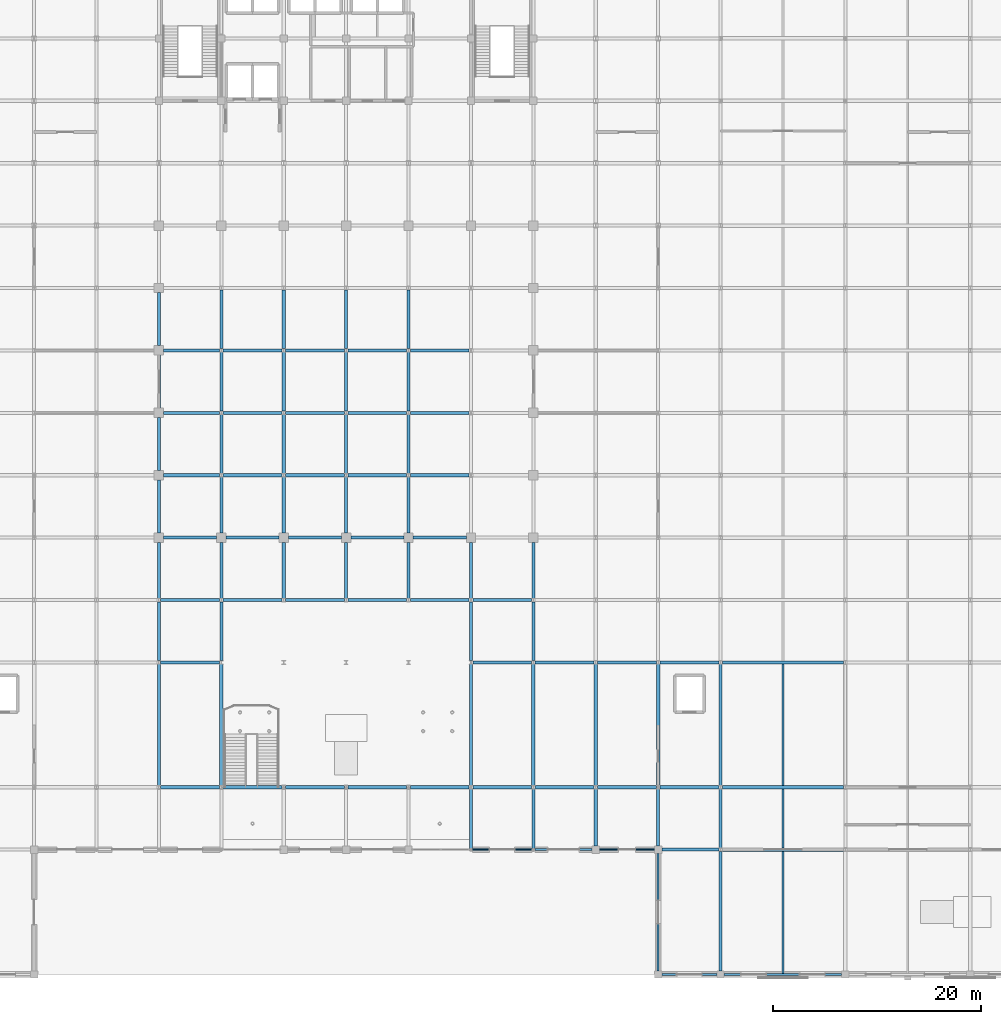
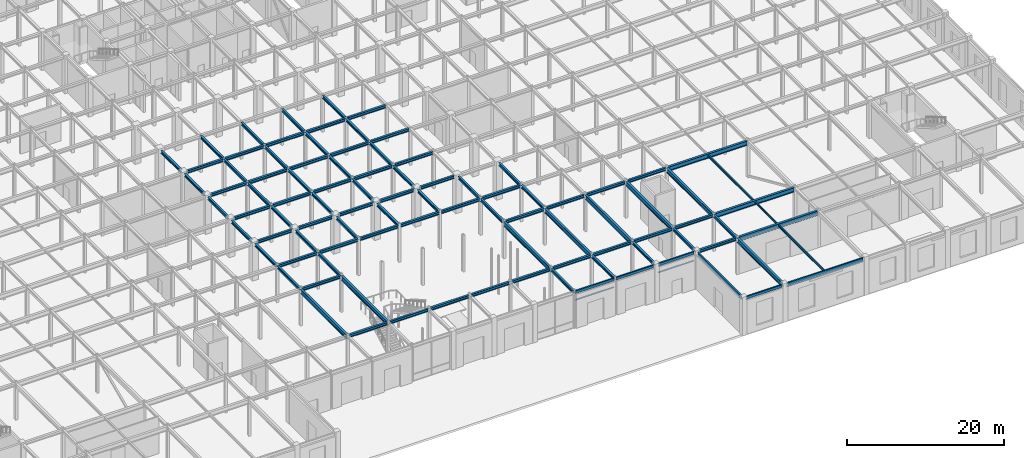
# One storey, part 32 of 51: 99 beams.
"""IFC4 building model written with IfcOpenShell, lengths in metres."""

import ifcopenshell
import ifcopenshell.guid

model = None  # the IFC model being written
_history = None  # IfcOwnerHistory: only IFC2X3 demands one
_inside = {}  # id of a spatial element -> (the spatial element, [elements in it])
_under = {}  # id of a project, library or spatial element -> (it, [spatial elements below it])
_declared = {}  # id of a project -> (the project, [libraries it declares])
_typed = {}  # id of a type object -> (the type object, [elements of that type])
_made_of = {}  # id of a material, layer set ... -> (it, [elements and type objects made of it])


def new_model(schema):
    """Start an empty IFC model of exactly this schema.

    Asked for "IFC4X3", IfcOpenShell would pick the latest addendum, in which some entities
    have other attributes; the version numbers below select the first issue.
    IFC2X3 requires an IfcOwnerHistory on every rooted entity: one is made here for all.
    """
    global model, _history
    if schema == "IFC4X3":
        model = ifcopenshell.file(schema_version=(4, 3, 0, 0))
    else:
        model = ifcopenshell.file(schema=schema)
    _inside.clear()
    _under.clear()
    _declared.clear()
    _typed.clear()
    _made_of.clear()
    _history = None
    if model.schema == "IFC2X3":
        org = make("IfcOrganization", Name="unknown")
        user = make(
            "IfcPersonAndOrganization",
            ThePerson=make("IfcPerson", FamilyName="unknown"),
            TheOrganization=org,
        )
        app = make(
            "IfcApplication",
            ApplicationDeveloper=org,
            Version="unknown",
            ApplicationFullName="unknown",
            ApplicationIdentifier="unknown",
        )
        _history = make(
            "IfcOwnerHistory",
            OwningUser=user,
            OwningApplication=app,
            ChangeAction="ADDED",
            CreationDate=0,
        )
    return model


def make(cls, **values):
    """One entity of the class cls with the attributes given. An attribute that is None is left unset."""
    return model.create_entity(
        cls, **{name: value for name, value in values.items() if value is not None}
    )


def rooted(cls, **values):
    """An entity with a GlobalId (a new one), such as an element, a storey or a relation."""
    return make(cls, GlobalId=ifcopenshell.guid.new(), OwnerHistory=_history, **values)


def si_unit(unit_type, name, prefix=None):
    """IfcSIUnit, for example si_unit("LENGTHUNIT", "METRE", prefix="MILLI")."""
    return make("IfcSIUnit", UnitType=unit_type, Prefix=prefix, Name=name)


def assignment(units):
    """IfcUnitAssignment: the units of a project."""
    return None if units is None else make("IfcUnitAssignment", Units=units)


def point(xyz):
    """IfcCartesianPoint."""
    return None if xyz is None else make("IfcCartesianPoint", Coordinates=xyz)


def direction(xyz):
    """IfcDirection."""
    return None if xyz is None else make("IfcDirection", DirectionRatios=xyz)


def frame(location, z_axis=None, x_axis=None):
    """IfcAxis2Placement3D, a coordinate frame: its origin and axes. An axis left out is left unset."""
    return make(
        "IfcAxis2Placement3D",
        Location=point(location),
        Axis=direction(z_axis),
        RefDirection=direction(x_axis),
    )


def frame_2d(location, x_axis=None):
    """IfcAxis2Placement2D, a coordinate frame in the plane: its origin and x axis."""
    return make(
        "IfcAxis2Placement2D", Location=point(location), RefDirection=direction(x_axis)
    )


def origin():
    """The frame at (0, 0, 0) with its axes left unset."""
    return frame((0.0, 0.0, 0.0))


def origin_2d():
    """The frame at (0, 0) in the plane with its x axis left unset."""
    return frame_2d((0.0, 0.0))


def place(relative_to, where):
    """IfcLocalPlacement: puts the frame where relative to a parent placement (None: the world)."""
    return make(
        "IfcLocalPlacement", PlacementRelTo=relative_to, RelativePlacement=where
    )


def context(
    kind, dimensions, precision=None, world=None, true_north=None, identifier=None
):
    """IfcGeometricRepresentationContext, for example the 3D "Model" context."""
    return make(
        "IfcGeometricRepresentationContext",
        ContextIdentifier=identifier,
        ContextType=kind,
        CoordinateSpaceDimension=dimensions,
        Precision=precision,
        WorldCoordinateSystem=world,
        TrueNorth=true_north,
    )


def subcontext(parent, identifier, kind, view, scale=None):
    """IfcGeometricRepresentationSubContext, for example "Body" below "Model"."""
    return make(
        "IfcGeometricRepresentationSubContext",
        ContextIdentifier=identifier,
        ContextType=kind,
        ParentContext=parent,
        TargetScale=scale,
        TargetView=view,
    )


def project(units=None, contexts=None):
    """IfcProject with its units and contexts."""
    return rooted(
        "IfcProject",
        Name="project",
        RepresentationContexts=contexts,
        UnitsInContext=assignment(units),
    )


def spatial(cls, under=None, at=None, **own):
    """A site, building, storey or space (cls), placed at a placement, below another one or the project."""
    s = rooted(cls, ObjectPlacement=at, **own)
    if under is not None:
        _under.setdefault(under.id(), (under, []))[1].append(s)
    return s


def profile(cls, at=None, kind="AREA", **sizes):
    """A parametric profile (cls). Its sizes go by their IFC names, for example OverallWidth=200.0."""
    return make(cls, ProfileType=kind, Position=at, **sizes)


def i_section(**sizes):
    """IfcIShapeProfileDef."""
    return profile("IfcIShapeProfileDef", **sizes)


def extrude(swept, where, along, depth):
    """IfcExtrudedAreaSolid: the profile swept, set in the frame where, extruded along a direction by depth."""
    return make(
        "IfcExtrudedAreaSolid",
        SweptArea=swept,
        Position=where,
        ExtrudedDirection=direction(along),
        Depth=depth,
    )


def shape(context_of_items, identifier, shape_type, items):
    """IfcShapeRepresentation: the items that make up one representation, for example the "Body"."""
    return make(
        "IfcShapeRepresentation",
        ContextOfItems=context_of_items,
        RepresentationIdentifier=identifier,
        RepresentationType=shape_type,
        Items=items,
    )


def material(Name=None, Category=None):
    """IfcMaterial."""
    return make("IfcMaterial", Name=Name, Category=Category)


def material_profile(
    of_material, cross_section, Name=None, Category=None, Priority=None
):
    """IfcMaterialProfile: a cross section and its material."""
    return make(
        "IfcMaterialProfile",
        Name=Name,
        Material=of_material,
        Profile=cross_section,
        Priority=Priority,
        Category=Category,
    )


def profile_set(profiles, Name=None, composite=None):
    """IfcMaterialProfileSet."""
    return make(
        "IfcMaterialProfileSet",
        Name=Name,
        MaterialProfiles=profiles,
        CompositeProfile=composite,
    )


def made_of(thing, what):
    """Note that an element or type object is made of a material, layer set ...; save() writes the relation."""
    if what is not None:
        _made_of.setdefault(what.id(), (what, []))[1].append(thing)
    return thing


def type_object(cls, material=None, **own):
    """A type object (cls), such as IfcWallType, which elements share."""
    return made_of(rooted(cls, **own), material)


def element(
    cls,
    number,
    at=None,
    inside=None,
    cuts=None,
    type_object=None,
    material=None,
    context=None,
    identifier="Body",
    shape_type=None,
    held_by="IfcProductDefinitionShape",
    body=None,
    shapes=None,
    **own,
):
    """One element of the class cls, such as IfcWall. Its Tag is "e" and its number.

    at: its placement. inside: the storey or other place that contains it. cuts: it is an
    opening in that element (IfcRelVoidsElement). A single representation is given by context,
    identifier, shape_type and body (its items); several are given by shapes. held_by: the class
    of the entity that holds the representations. save() writes the other relations.
    """
    e = rooted(cls, Tag="e%d" % number, ObjectPlacement=at, **own)
    if body is not None:
        shapes = [shape(context, identifier, shape_type, body)]
    if shapes is not None:
        e.Representation = make(held_by, Representations=shapes)
    if inside is not None:
        _inside.setdefault(inside.id(), (inside, []))[1].append(e)
    if cuts is not None:
        rooted(
            "IfcRelVoidsElement", RelatingBuildingElement=cuts, RelatedOpeningElement=e
        )
    if type_object is not None:
        _typed.setdefault(type_object.id(), (type_object, []))[1].append(e)
    return made_of(e, material)


def aggregate(whole, parts):
    """IfcRelAggregates: a whole, such as a stair, and the parts it consists of."""
    return rooted("IfcRelAggregates", RelatingObject=whole, RelatedObjects=parts)


def save(model, path):
    """Write the relations noted so far, then the file.

    IfcRelAggregates (storeys below a building ...), IfcRelContainedInSpatialStructure (elements
    in a storey), IfcRelDefinesByType, IfcRelAssociatesMaterial and IfcRelDeclares: one each for
    every whole, place, type object, material and project.
    """
    for whole, parts in _under.values():
        aggregate(whole, parts)
    for where, things in _inside.values():
        rooted(
            "IfcRelContainedInSpatialStructure",
            RelatedElements=things,
            RelatingStructure=where,
        )
    for kind, things in _typed.values():
        rooted("IfcRelDefinesByType", RelatedObjects=things, RelatingType=kind)
    for what, things in _made_of.values():
        rooted("IfcRelAssociatesMaterial", RelatedObjects=things, RelatingMaterial=what)
    for by, libraries in _declared.values():
        rooted("IfcRelDeclares", RelatingContext=by, RelatedDefinitions=libraries)
    model.write(path)


model = new_model("IFC4")

# Units and contexts
model_context = context("Model", 3, precision=1e-05, world=origin(), true_north=direction((0.0, 1.0)))
body_context = subcontext(model_context, "Body", "Model", "MODEL_VIEW")
ifc_project = project(units=[si_unit("LENGTHUNIT", "METRE"), si_unit("AREAUNIT", "SQUARE_METRE"), si_unit("VOLUMEUNIT", "CUBIC_METRE"), si_unit("PLANEANGLEUNIT", "RADIAN"), si_unit("MASSUNIT", "GRAM", prefix="KILO")], contexts=[model_context])

# Site, building, storey
site_placement = place(None, origin())
site = spatial("IfcSite", under=ifc_project, at=site_placement, CompositionType="ELEMENT")
building_placement = place(site_placement, origin())
building = spatial("IfcBuilding", under=site, at=building_placement, Name="Zlatovratsky Civic Hall", CompositionType="ELEMENT")
storey_placement = place(building_placement, origin())
storey = spatial("IfcBuildingStorey", under=building, at=storey_placement, Name="L01", CompositionType="ELEMENT", Elevation=0.0)

# Beams
ifc_material = material(Name="Steel S355", Category="steel")
ifc_material_profile_1 = material_profile(ifc_material, i_section(OverallWidth=0.320068359375, OverallDepth=0.68310546875, WebThickness=0.012939453125, FlangeThickness=0.01904296875, FilletRadius=0.02587890625, at=origin_2d()), Name="70Sh1")
ifc_profile_set_1 = profile_set([ifc_material_profile_1], Name="Steel S355")
beam_type_1 = type_object("IfcBeamType", Name="Beam_HallGirder_70Sh1", PredefinedType="BEAM", material=ifc_profile_set_1)
for number, where, z_axis, x_axis, name in (
    (1, (120.175048828125, 12.0, 5.41845703125), (1.0, 0.0, 0.0), (0.0, 1.0, 0.0), "BM-0898"),
    (2, (120.175048828125, 18.0, 5.41845703125), (1.0, 0.0, 0.0), (0.0, 1.0, 0.0), "BM-0920"),
    (3, (120.175048828125, 30.0, 5.41845703125), (1.0, 0.0, 0.0), (0.0, 1.0, 0.0), "BM-0938"),
):
    element("IfcBeam", number, at=place(storey_placement, frame(where, z_axis=z_axis, x_axis=x_axis)), inside=storey, type_object=beam_type_1, Name=name, PredefinedType="BEAM", context=body_context, shape_type="SweptSolid", body=[
        extrude(i_section(OverallWidth=0.320068359375, OverallDepth=0.68310546875, WebThickness=0.012939453125, FlangeThickness=0.01904296875, FilletRadius=0.02587890625, at=origin_2d()), origin(), (0.0, 0.0, 1.0), 11.64990234375),
    ])
for number, where, z_axis, x_axis, name in (
    (4, (66.0, 18.17138671875, 5.41845703125), (0.0, 1.0, 0.0), (-1.0, 0.0, 0.0), "BM-1383"),
    (5, (72.0, 18.17138671875, 5.41845703125), (0.0, 1.0, 0.0), (-1.0, 0.0, 0.0), "BM-1399"),
    (6, (96.0, 18.17138671875, 5.41845703125), (0.0, 1.0, 0.0), (-1.0, 0.0, 0.0), "BM-1457"),
    (7, (102.0, 18.17138671875, 5.41845703125), (0.0, 1.0, 0.0), (-1.0, 0.0, 0.0), "BM-1473"),
    (8, (108.0, 18.17138671875, 5.41845703125), (0.0, 1.0, 0.0), (-1.0, 0.0, 0.0), "BM-1489"),
    (9, (114.0, 18.17138671875, 5.41845703125), (0.0, 1.0, 0.0), (-1.0, 0.0, 0.0), "BM-1506"),
):
    element("IfcBeam", number, at=place(storey_placement, frame(where, z_axis=z_axis, x_axis=x_axis)), inside=storey, type_object=beam_type_1, Name=name, PredefinedType="BEAM", context=body_context, shape_type="SweptSolid", body=[
        extrude(i_section(OverallWidth=0.320068359375, OverallDepth=0.68310546875, WebThickness=0.012939453125, FlangeThickness=0.01904296875, FilletRadius=0.02587890625, at=origin_2d()), origin(), (0.0, 0.0, 1.0), 11.6572265625),
    ])
beam_1_placement = place(storey_placement, frame((120.0, 0.35009765625, 5.41845703125), z_axis=(0.0, 1.0, 0.0), x_axis=(-1.0, 0.0, 0.0)))
element("IfcBeam", 10, at=beam_1_placement, inside=storey, type_object=beam_type_1, Name="BM-1521", PredefinedType="BEAM", context=body_context, shape_type="SweptSolid", body=[
    extrude(i_section(OverallWidth=0.320068359375, OverallDepth=0.68310546875, WebThickness=0.012939453125, FlangeThickness=0.01904296875, FilletRadius=0.02587890625, at=origin_2d()), origin(), (0.0, 0.0, 1.0), 11.478515625),
])
beam_2_placement = place(storey_placement, frame((120.0, 18.17138671875, 5.41845703125), z_axis=(0.0, 1.0, 0.0), x_axis=(-1.0, 0.0, 0.0)))
element("IfcBeam", 11, at=beam_2_placement, inside=storey, type_object=beam_type_1, Name="BM-1523", PredefinedType="BEAM", context=body_context, shape_type="SweptSolid", body=[
    extrude(i_section(OverallWidth=0.320068359375, OverallDepth=0.68310546875, WebThickness=0.012939453125, FlangeThickness=0.01904296875, FilletRadius=0.02587890625, at=origin_2d()), origin(), (0.0, 0.0, 1.0), 11.6572265625),
])
ifc_material_profile_2 = material_profile(ifc_material, i_section(OverallWidth=0.198974609375, OverallDepth=0.491943359375, WebThickness=0.0087890625, FlangeThickness=0.011962890625, FilletRadius=0.01611328125, at=origin_2d()), Name="50B1")
ifc_profile_set_2 = profile_set([ifc_material_profile_2], Name="Steel S355")
beam_type_2 = type_object("IfcBeamType", Name="Beam_Spandrel_50B1", PredefinedType="SPANDREL", material=ifc_profile_set_2)
beam_3_placement = place(storey_placement, frame((114.35009765625, 0.0, 5.513916015625), z_axis=(1.0, 0.0, 0.0), x_axis=(0.0, 1.0, 0.0)))
element("IfcBeam", 12, at=beam_3_placement, inside=storey, type_object=beam_type_2, Name="BM-0875", PredefinedType="SPANDREL", context=body_context, shape_type="SweptSolid", body=[
    extrude(i_section(OverallWidth=0.198974609375, OverallDepth=0.491943359375, WebThickness=0.0087890625, FlangeThickness=0.011962890625, FilletRadius=0.01611328125, at=origin_2d()), origin(), (0.0, 0.0, 1.0), 5.2998046875),
])
beam_4_placement = place(storey_placement, frame((96.136474609375, 12.0, 5.513916015625), z_axis=(1.0, 0.0, 0.0), x_axis=(0.0, 1.0, 0.0)))
element("IfcBeam", 13, at=beam_4_placement, inside=storey, type_object=beam_type_2, Name="BM-0894", PredefinedType="SPANDREL", context=body_context, shape_type="SweptSolid", body=[
    extrude(i_section(OverallWidth=0.198974609375, OverallDepth=0.491943359375, WebThickness=0.0087890625, FlangeThickness=0.011962890625, FilletRadius=0.01611328125, at=origin_2d()), origin(), (0.0, 0.0, 1.0), 5.72705078125),
])
beam_5_placement = place(storey_placement, frame((102.136474609375, 12.0, 5.513916015625), z_axis=(1.0, 0.0, 0.0), x_axis=(0.0, 1.0, 0.0)))
element("IfcBeam", 14, at=beam_5_placement, inside=storey, type_object=beam_type_2, Name="BM-0895", PredefinedType="SPANDREL", context=body_context, shape_type="SweptSolid", body=[
    extrude(i_section(OverallWidth=0.198974609375, OverallDepth=0.491943359375, WebThickness=0.0087890625, FlangeThickness=0.011962890625, FilletRadius=0.01611328125, at=origin_2d()), origin(), (0.0, 0.0, 1.0), 5.513427734375),
])
beam_6_placement = place(storey_placement, frame((108.35009765625, 12.0, 5.513916015625), z_axis=(1.0, 0.0, 0.0), x_axis=(0.0, 1.0, 0.0)))
element("IfcBeam", 15, at=beam_6_placement, inside=storey, type_object=beam_type_2, Name="BM-0896", PredefinedType="SPANDREL", context=body_context, shape_type="SweptSolid", body=[
    extrude(i_section(OverallWidth=0.198974609375, OverallDepth=0.491943359375, WebThickness=0.0087890625, FlangeThickness=0.011962890625, FilletRadius=0.01611328125, at=origin_2d()), origin(), (0.0, 0.0, 1.0), 5.2998046875),
])
ifc_material_profile_3 = material_profile(ifc_material, i_section(OverallWidth=0.198974609375, OverallDepth=0.593017578125, WebThickness=0.010498046875, FlangeThickness=0.014892578125, FilletRadius=0.01806640625, at=origin_2d()), Name="60B1")
ifc_profile_set_3 = profile_set([ifc_material_profile_3], Name="Steel S355")
beam_type_3 = type_object("IfcBeamType", Name="Beam_Spandrel_60B1", PredefinedType="SPANDREL", material=ifc_profile_set_3)
for number, where, z_axis, x_axis, name in (
    (16, (120.35009765625, 0.0, 5.46337890625), (1.0, 0.0, 0.0), (0.0, 1.0, 0.0), "BM-0876"),
    (17, (114.0, 0.35009765625, 5.46337890625), (0.0, 1.0, 0.0), (-1.0, 0.0, 0.0), "BM-1504"),
):
    element("IfcBeam", number, at=place(storey_placement, frame(where, z_axis=z_axis, x_axis=x_axis)), inside=storey, type_object=beam_type_3, Name=name, PredefinedType="SPANDREL", context=body_context, shape_type="SweptSolid", body=[
        extrude(i_section(OverallWidth=0.198974609375, OverallDepth=0.593017578125, WebThickness=0.010498046875, FlangeThickness=0.014892578125, FilletRadius=0.01806640625, at=origin_2d()), origin(), (0.0, 0.0, 1.0), 11.2998046875),
    ])
ifc_material_profile_4 = material_profile(ifc_material, i_section(OverallWidth=0.300048828125, OverallDepth=0.43994140625, WebThickness=0.010986328125, FlangeThickness=0.01806640625, FilletRadius=0.02197265625, at=origin_2d()), Name="45Sh1")
ifc_profile_set_4 = profile_set([ifc_material_profile_4], Name="Steel S355")
beam_type_4 = type_object("IfcBeamType", Name="Beam_TowerLow_45Sh1", PredefinedType="BEAM", material=ifc_profile_set_4)
beam_7_placement = place(storey_placement, frame((114.35009765625, 12.0, 5.5400390625), z_axis=(1.0, 0.0, 0.0), x_axis=(0.0, 1.0, 0.0)))
element("IfcBeam", 18, at=beam_7_placement, inside=storey, type_object=beam_type_4, Name="BM-0897", PredefinedType="BEAM", context=body_context, shape_type="SweptSolid", body=[
    extrude(i_section(OverallWidth=0.300048828125, OverallDepth=0.43994140625, WebThickness=0.010986328125, FlangeThickness=0.01806640625, FilletRadius=0.02197265625, at=origin_2d()), origin(), (0.0, 0.0, 1.0), 5.474853515625),
])
for number, where, z_axis, x_axis, name in (
    (19, (66.175048828125, 18.0, 5.5400390625), (1.0, 0.0, 0.0), (0.0, 1.0, 0.0), "BM-0911"),
    (20, (72.175048828125, 18.0, 5.5400390625), (1.0, 0.0, 0.0), (0.0, 1.0, 0.0), "BM-0912"),
    (21, (78.175048828125, 18.0, 5.5400390625), (1.0, 0.0, 0.0), (0.0, 1.0, 0.0), "BM-0913"),
    (22, (84.175048828125, 18.0, 5.5400390625), (1.0, 0.0, 0.0), (0.0, 1.0, 0.0), "BM-0914"),
    (23, (90.175048828125, 18.0, 5.5400390625), (1.0, 0.0, 0.0), (0.0, 1.0, 0.0), "BM-0915"),
    (24, (96.175048828125, 18.0, 5.5400390625), (1.0, 0.0, 0.0), (0.0, 1.0, 0.0), "BM-0916"),
    (25, (102.175048828125, 18.0, 5.5400390625), (1.0, 0.0, 0.0), (0.0, 1.0, 0.0), "BM-0917"),
    (26, (108.175048828125, 18.0, 5.5400390625), (1.0, 0.0, 0.0), (0.0, 1.0, 0.0), "BM-0918"),
    (27, (114.175048828125, 18.0, 5.5400390625), (1.0, 0.0, 0.0), (0.0, 1.0, 0.0), "BM-0919"),
    (28, (66.175048828125, 30.0, 5.5400390625), (1.0, 0.0, 0.0), (0.0, 1.0, 0.0), "BM-0933"),
    (29, (96.175048828125, 30.0, 5.5400390625), (1.0, 0.0, 0.0), (0.0, 1.0, 0.0), "BM-0934"),
    (30, (102.175048828125, 30.0, 5.5400390625), (1.0, 0.0, 0.0), (0.0, 1.0, 0.0), "BM-0935"),
    (31, (108.175048828125, 30.0, 5.5400390625), (1.0, 0.0, 0.0), (0.0, 1.0, 0.0), "BM-0936"),
    (32, (114.175048828125, 30.0, 5.5400390625), (1.0, 0.0, 0.0), (0.0, 1.0, 0.0), "BM-0937"),
    (33, (66.175048828125, 36.0, 5.5400390625), (1.0, 0.0, 0.0), (0.0, 1.0, 0.0), "BM-0951"),
    (34, (72.175048828125, 36.0, 5.5400390625), (1.0, 0.0, 0.0), (0.0, 1.0, 0.0), "BM-0952"),
    (35, (78.175048828125, 36.0, 5.5400390625), (1.0, 0.0, 0.0), (0.0, 1.0, 0.0), "BM-0953"),
    (36, (84.175048828125, 36.0, 5.5400390625), (1.0, 0.0, 0.0), (0.0, 1.0, 0.0), "BM-0954"),
    (37, (90.175048828125, 36.0, 5.5400390625), (1.0, 0.0, 0.0), (0.0, 1.0, 0.0), "BM-0955"),
    (38, (96.175048828125, 36.0, 5.5400390625), (1.0, 0.0, 0.0), (0.0, 1.0, 0.0), "BM-0956"),
):
    element("IfcBeam", number, at=place(storey_placement, frame(where, z_axis=z_axis, x_axis=x_axis)), inside=storey, type_object=beam_type_4, Name=name, PredefinedType="BEAM", context=body_context, shape_type="SweptSolid", body=[
        extrude(i_section(OverallWidth=0.300048828125, OverallDepth=0.43994140625, WebThickness=0.010986328125, FlangeThickness=0.01806640625, FilletRadius=0.02197265625, at=origin_2d()), origin(), (0.0, 0.0, 1.0), 5.64990234375),
    ])
for number, where, z_axis, x_axis, name in (
    (39, (66.449951171875, 42.0, 5.5400390625), (1.0, 0.0, 0.0), (0.0, 1.0, 0.0), "BM-0973"),
    (40, (72.449951171875, 42.0, 5.5400390625), (1.0, 0.0, 0.0), (0.0, 1.0, 0.0), "BM-0974"),
    (41, (78.449951171875, 42.0, 5.5400390625), (1.0, 0.0, 0.0), (0.0, 1.0, 0.0), "BM-0975"),
    (42, (84.449951171875, 42.0, 5.5400390625), (1.0, 0.0, 0.0), (0.0, 1.0, 0.0), "BM-0976"),
    (43, (90.449951171875, 42.0, 5.5400390625), (1.0, 0.0, 0.0), (0.0, 1.0, 0.0), "BM-0977"),
):
    element("IfcBeam", number, at=place(storey_placement, frame(where, z_axis=z_axis, x_axis=x_axis)), inside=storey, type_object=beam_type_4, Name=name, PredefinedType="BEAM", context=body_context, shape_type="SweptSolid", body=[
        extrude(i_section(OverallWidth=0.300048828125, OverallDepth=0.43994140625, WebThickness=0.010986328125, FlangeThickness=0.01806640625, FilletRadius=0.02197265625, at=origin_2d()), origin(), (0.0, 0.0, 1.0), 5.10009765625),
    ])
beam_8_placement = place(storey_placement, frame((66.449951171875, 48.0, 5.5400390625), z_axis=(1.0, 0.0, 0.0), x_axis=(0.0, 1.0, 0.0)))
element("IfcBeam", 44, at=beam_8_placement, inside=storey, type_object=beam_type_4, Name="BM-0995", PredefinedType="BEAM", context=body_context, shape_type="SweptSolid", body=[
    extrude(i_section(OverallWidth=0.300048828125, OverallDepth=0.43994140625, WebThickness=0.010986328125, FlangeThickness=0.01806640625, FilletRadius=0.02197265625, at=origin_2d()), origin(), (0.0, 0.0, 1.0), 5.375),
])
for number, where, z_axis, x_axis, name in (
    (45, (72.175048828125, 48.0, 5.5400390625), (1.0, 0.0, 0.0), (0.0, 1.0, 0.0), "BM-0996"),
    (46, (78.175048828125, 48.0, 5.5400390625), (1.0, 0.0, 0.0), (0.0, 1.0, 0.0), "BM-0997"),
    (47, (84.175048828125, 48.0, 5.5400390625), (1.0, 0.0, 0.0), (0.0, 1.0, 0.0), "BM-0998"),
    (48, (90.175048828125, 48.0, 5.5400390625), (1.0, 0.0, 0.0), (0.0, 1.0, 0.0), "BM-0999"),
):
    element("IfcBeam", number, at=place(storey_placement, frame(where, z_axis=z_axis, x_axis=x_axis)), inside=storey, type_object=beam_type_4, Name=name, PredefinedType="BEAM", context=body_context, shape_type="SweptSolid", body=[
        extrude(i_section(OverallWidth=0.300048828125, OverallDepth=0.43994140625, WebThickness=0.010986328125, FlangeThickness=0.01806640625, FilletRadius=0.02197265625, at=origin_2d()), origin(), (0.0, 0.0, 1.0), 5.64990234375),
    ])
beam_9_placement = place(storey_placement, frame((66.449951171875, 54.0, 5.5400390625), z_axis=(1.0, 0.0, 0.0), x_axis=(0.0, 1.0, 0.0)))
element("IfcBeam", 49, at=beam_9_placement, inside=storey, type_object=beam_type_4, Name="BM-1017", PredefinedType="BEAM", context=body_context, shape_type="SweptSolid", body=[
    extrude(i_section(OverallWidth=0.300048828125, OverallDepth=0.43994140625, WebThickness=0.010986328125, FlangeThickness=0.01806640625, FilletRadius=0.02197265625, at=origin_2d()), origin(), (0.0, 0.0, 1.0), 5.375),
])
for number, where, z_axis, x_axis, name in (
    (50, (72.175048828125, 54.0, 5.5400390625), (1.0, 0.0, 0.0), (0.0, 1.0, 0.0), "BM-1018"),
    (51, (78.175048828125, 54.0, 5.5400390625), (1.0, 0.0, 0.0), (0.0, 1.0, 0.0), "BM-1019"),
    (52, (84.175048828125, 54.0, 5.5400390625), (1.0, 0.0, 0.0), (0.0, 1.0, 0.0), "BM-1020"),
    (53, (90.175048828125, 54.0, 5.5400390625), (1.0, 0.0, 0.0), (0.0, 1.0, 0.0), "BM-1021"),
):
    element("IfcBeam", number, at=place(storey_placement, frame(where, z_axis=z_axis, x_axis=x_axis)), inside=storey, type_object=beam_type_4, Name=name, PredefinedType="BEAM", context=body_context, shape_type="SweptSolid", body=[
        extrude(i_section(OverallWidth=0.300048828125, OverallDepth=0.43994140625, WebThickness=0.010986328125, FlangeThickness=0.01806640625, FilletRadius=0.02197265625, at=origin_2d()), origin(), (0.0, 0.0, 1.0), 5.64990234375),
    ])
beam_10_placement = place(storey_placement, frame((66.449951171875, 60.0, 5.5400390625), z_axis=(1.0, 0.0, 0.0), x_axis=(0.0, 1.0, 0.0)))
element("IfcBeam", 54, at=beam_10_placement, inside=storey, type_object=beam_type_4, Name="BM-1039", PredefinedType="BEAM", context=body_context, shape_type="SweptSolid", body=[
    extrude(i_section(OverallWidth=0.300048828125, OverallDepth=0.43994140625, WebThickness=0.010986328125, FlangeThickness=0.01806640625, FilletRadius=0.02197265625, at=origin_2d()), origin(), (0.0, 0.0, 1.0), 5.375),
])
for number, where, z_axis, x_axis, name in (
    (55, (72.175048828125, 60.0, 5.5400390625), (1.0, 0.0, 0.0), (0.0, 1.0, 0.0), "BM-1040"),
    (56, (78.175048828125, 60.0, 5.5400390625), (1.0, 0.0, 0.0), (0.0, 1.0, 0.0), "BM-1041"),
    (57, (84.175048828125, 60.0, 5.5400390625), (1.0, 0.0, 0.0), (0.0, 1.0, 0.0), "BM-1042"),
    (58, (90.175048828125, 60.0, 5.5400390625), (1.0, 0.0, 0.0), (0.0, 1.0, 0.0), "BM-1043"),
):
    element("IfcBeam", number, at=place(storey_placement, frame(where, z_axis=z_axis, x_axis=x_axis)), inside=storey, type_object=beam_type_4, Name=name, PredefinedType="BEAM", context=body_context, shape_type="SweptSolid", body=[
        extrude(i_section(OverallWidth=0.300048828125, OverallDepth=0.43994140625, WebThickness=0.010986328125, FlangeThickness=0.01806640625, FilletRadius=0.02197265625, at=origin_2d()), origin(), (0.0, 0.0, 1.0), 5.64990234375),
    ])
beam_11_placement = place(storey_placement, frame((66.0, 30.17138671875, 5.5400390625), z_axis=(0.0, 1.0, 0.0), x_axis=(-1.0, 0.0, 0.0)))
element("IfcBeam", 59, at=beam_11_placement, inside=storey, type_object=beam_type_4, Name="BM-1384", PredefinedType="BEAM", context=body_context, shape_type="SweptSolid", body=[
    extrude(i_section(OverallWidth=0.300048828125, OverallDepth=0.43994140625, WebThickness=0.010986328125, FlangeThickness=0.01806640625, FilletRadius=0.02197265625, at=origin_2d()), origin(), (0.0, 0.0, 1.0), 5.6572265625),
])
beam_12_placement = place(storey_placement, frame((66.0, 36.17138671875, 5.5400390625), z_axis=(0.0, 1.0, 0.0), x_axis=(-1.0, 0.0, 0.0)))
element("IfcBeam", 60, at=beam_12_placement, inside=storey, type_object=beam_type_4, Name="BM-1385", PredefinedType="BEAM", context=body_context, shape_type="SweptSolid", body=[
    extrude(i_section(OverallWidth=0.300048828125, OverallDepth=0.43994140625, WebThickness=0.010986328125, FlangeThickness=0.01806640625, FilletRadius=0.02197265625, at=origin_2d()), origin(), (0.0, 0.0, 1.0), 5.378662109375),
])
for number, where, z_axis, x_axis, name in (
    (61, (66.0, 42.449951171875, 5.5400390625), (0.0, 1.0, 0.0), (-1.0, 0.0, 0.0), "BM-1386"),
    (62, (66.0, 48.449951171875, 5.5400390625), (0.0, 1.0, 0.0), (-1.0, 0.0, 0.0), "BM-1387"),
    (63, (66.0, 54.449951171875, 5.5400390625), (0.0, 1.0, 0.0), (-1.0, 0.0, 0.0), "BM-1388"),
    (64, (66.0, 60.449951171875, 5.5400390625), (0.0, 1.0, 0.0), (-1.0, 0.0, 0.0), "BM-1389"),
):
    element("IfcBeam", number, at=place(storey_placement, frame(where, z_axis=z_axis, x_axis=x_axis)), inside=storey, type_object=beam_type_4, Name=name, PredefinedType="BEAM", context=body_context, shape_type="SweptSolid", body=[
        extrude(i_section(OverallWidth=0.300048828125, OverallDepth=0.43994140625, WebThickness=0.010986328125, FlangeThickness=0.01806640625, FilletRadius=0.02197265625, at=origin_2d()), origin(), (0.0, 0.0, 1.0), 5.10009765625),
    ])
beam_13_placement = place(storey_placement, frame((72.0, 30.17138671875, 5.5400390625), z_axis=(0.0, 1.0, 0.0), x_axis=(-1.0, 0.0, 0.0)))
element("IfcBeam", 65, at=beam_13_placement, inside=storey, type_object=beam_type_4, Name="BM-1400", PredefinedType="BEAM", context=body_context, shape_type="SweptSolid", body=[
    extrude(i_section(OverallWidth=0.300048828125, OverallDepth=0.43994140625, WebThickness=0.010986328125, FlangeThickness=0.01806640625, FilletRadius=0.02197265625, at=origin_2d()), origin(), (0.0, 0.0, 1.0), 5.6572265625),
])
for number, where, z_axis, x_axis, name in (
    (66, (72.0, 36.17138671875, 5.5400390625), (0.0, 1.0, 0.0), (-1.0, 0.0, 0.0), "BM-1401"),
    (67, (72.0, 42.449951171875, 5.5400390625), (0.0, 1.0, 0.0), (-1.0, 0.0, 0.0), "BM-1402"),
):
    element("IfcBeam", number, at=place(storey_placement, frame(where, z_axis=z_axis, x_axis=x_axis)), inside=storey, type_object=beam_type_4, Name=name, PredefinedType="BEAM", context=body_context, shape_type="SweptSolid", body=[
        extrude(i_section(OverallWidth=0.300048828125, OverallDepth=0.43994140625, WebThickness=0.010986328125, FlangeThickness=0.01806640625, FilletRadius=0.02197265625, at=origin_2d()), origin(), (0.0, 0.0, 1.0), 5.378662109375),
    ])
for number, where, z_axis, x_axis, name in (
    (68, (72.0, 48.17138671875, 5.5400390625), (0.0, 1.0, 0.0), (-1.0, 0.0, 0.0), "BM-1403"),
    (69, (72.0, 54.17138671875, 5.5400390625), (0.0, 1.0, 0.0), (-1.0, 0.0, 0.0), "BM-1404"),
    (70, (72.0, 60.17138671875, 5.5400390625), (0.0, 1.0, 0.0), (-1.0, 0.0, 0.0), "BM-1405"),
):
    element("IfcBeam", number, at=place(storey_placement, frame(where, z_axis=z_axis, x_axis=x_axis)), inside=storey, type_object=beam_type_4, Name=name, PredefinedType="BEAM", context=body_context, shape_type="SweptSolid", body=[
        extrude(i_section(OverallWidth=0.300048828125, OverallDepth=0.43994140625, WebThickness=0.010986328125, FlangeThickness=0.01806640625, FilletRadius=0.02197265625, at=origin_2d()), origin(), (0.0, 0.0, 1.0), 5.6572265625),
    ])
for number, where, z_axis, x_axis, name in (
    (71, (78.0, 36.17138671875, 5.5400390625), (0.0, 1.0, 0.0), (-1.0, 0.0, 0.0), "BM-1415"),
    (72, (78.0, 42.449951171875, 5.5400390625), (0.0, 1.0, 0.0), (-1.0, 0.0, 0.0), "BM-1416"),
):
    element("IfcBeam", number, at=place(storey_placement, frame(where, z_axis=z_axis, x_axis=x_axis)), inside=storey, type_object=beam_type_4, Name=name, PredefinedType="BEAM", context=body_context, shape_type="SweptSolid", body=[
        extrude(i_section(OverallWidth=0.300048828125, OverallDepth=0.43994140625, WebThickness=0.010986328125, FlangeThickness=0.01806640625, FilletRadius=0.02197265625, at=origin_2d()), origin(), (0.0, 0.0, 1.0), 5.378662109375),
    ])
for number, where, z_axis, x_axis, name in (
    (73, (78.0, 48.17138671875, 5.5400390625), (0.0, 1.0, 0.0), (-1.0, 0.0, 0.0), "BM-1417"),
    (74, (78.0, 54.17138671875, 5.5400390625), (0.0, 1.0, 0.0), (-1.0, 0.0, 0.0), "BM-1418"),
    (75, (78.0, 60.17138671875, 5.5400390625), (0.0, 1.0, 0.0), (-1.0, 0.0, 0.0), "BM-1419"),
):
    element("IfcBeam", number, at=place(storey_placement, frame(where, z_axis=z_axis, x_axis=x_axis)), inside=storey, type_object=beam_type_4, Name=name, PredefinedType="BEAM", context=body_context, shape_type="SweptSolid", body=[
        extrude(i_section(OverallWidth=0.300048828125, OverallDepth=0.43994140625, WebThickness=0.010986328125, FlangeThickness=0.01806640625, FilletRadius=0.02197265625, at=origin_2d()), origin(), (0.0, 0.0, 1.0), 5.6572265625),
    ])
for number, where, z_axis, x_axis, name in (
    (76, (84.0, 36.17138671875, 5.5400390625), (0.0, 1.0, 0.0), (-1.0, 0.0, 0.0), "BM-1429"),
    (77, (84.0, 42.449951171875, 5.5400390625), (0.0, 1.0, 0.0), (-1.0, 0.0, 0.0), "BM-1430"),
):
    element("IfcBeam", number, at=place(storey_placement, frame(where, z_axis=z_axis, x_axis=x_axis)), inside=storey, type_object=beam_type_4, Name=name, PredefinedType="BEAM", context=body_context, shape_type="SweptSolid", body=[
        extrude(i_section(OverallWidth=0.300048828125, OverallDepth=0.43994140625, WebThickness=0.010986328125, FlangeThickness=0.01806640625, FilletRadius=0.02197265625, at=origin_2d()), origin(), (0.0, 0.0, 1.0), 5.378662109375),
    ])
for number, where, z_axis, x_axis, name in (
    (78, (84.0, 48.17138671875, 5.5400390625), (0.0, 1.0, 0.0), (-1.0, 0.0, 0.0), "BM-1431"),
    (79, (84.0, 54.17138671875, 5.5400390625), (0.0, 1.0, 0.0), (-1.0, 0.0, 0.0), "BM-1432"),
    (80, (84.0, 60.17138671875, 5.5400390625), (0.0, 1.0, 0.0), (-1.0, 0.0, 0.0), "BM-1433"),
):
    element("IfcBeam", number, at=place(storey_placement, frame(where, z_axis=z_axis, x_axis=x_axis)), inside=storey, type_object=beam_type_4, Name=name, PredefinedType="BEAM", context=body_context, shape_type="SweptSolid", body=[
        extrude(i_section(OverallWidth=0.300048828125, OverallDepth=0.43994140625, WebThickness=0.010986328125, FlangeThickness=0.01806640625, FilletRadius=0.02197265625, at=origin_2d()), origin(), (0.0, 0.0, 1.0), 5.6572265625),
    ])
for number, where, z_axis, x_axis, name in (
    (81, (90.0, 36.17138671875, 5.5400390625), (0.0, 1.0, 0.0), (-1.0, 0.0, 0.0), "BM-1443"),
    (82, (90.0, 42.449951171875, 5.5400390625), (0.0, 1.0, 0.0), (-1.0, 0.0, 0.0), "BM-1444"),
):
    element("IfcBeam", number, at=place(storey_placement, frame(where, z_axis=z_axis, x_axis=x_axis)), inside=storey, type_object=beam_type_4, Name=name, PredefinedType="BEAM", context=body_context, shape_type="SweptSolid", body=[
        extrude(i_section(OverallWidth=0.300048828125, OverallDepth=0.43994140625, WebThickness=0.010986328125, FlangeThickness=0.01806640625, FilletRadius=0.02197265625, at=origin_2d()), origin(), (0.0, 0.0, 1.0), 5.378662109375),
    ])
for number, where, z_axis, x_axis, name in (
    (83, (90.0, 48.17138671875, 5.5400390625), (0.0, 1.0, 0.0), (-1.0, 0.0, 0.0), "BM-1445"),
    (84, (90.0, 54.17138671875, 5.5400390625), (0.0, 1.0, 0.0), (-1.0, 0.0, 0.0), "BM-1446"),
    (85, (90.0, 60.17138671875, 5.5400390625), (0.0, 1.0, 0.0), (-1.0, 0.0, 0.0), "BM-1447"),
):
    element("IfcBeam", number, at=place(storey_placement, frame(where, z_axis=z_axis, x_axis=x_axis)), inside=storey, type_object=beam_type_4, Name=name, PredefinedType="BEAM", context=body_context, shape_type="SweptSolid", body=[
        extrude(i_section(OverallWidth=0.300048828125, OverallDepth=0.43994140625, WebThickness=0.010986328125, FlangeThickness=0.01806640625, FilletRadius=0.02197265625, at=origin_2d()), origin(), (0.0, 0.0, 1.0), 5.6572265625),
    ])
beam_14_placement = place(storey_placement, frame((96.0, 12.136474609375, 5.5400390625), z_axis=(0.0, 1.0, 0.0), x_axis=(-1.0, 0.0, 0.0)))
element("IfcBeam", 86, at=beam_14_placement, inside=storey, type_object=beam_type_4, Name="BM-1456", PredefinedType="BEAM", context=body_context, shape_type="SweptSolid", body=[
    extrude(i_section(OverallWidth=0.300048828125, OverallDepth=0.43994140625, WebThickness=0.010986328125, FlangeThickness=0.01806640625, FilletRadius=0.02197265625, at=origin_2d()), origin(), (0.0, 0.0, 1.0), 5.692138671875),
])
beam_15_placement = place(storey_placement, frame((96.0, 30.17138671875, 5.5400390625), z_axis=(0.0, 1.0, 0.0), x_axis=(-1.0, 0.0, 0.0)))
element("IfcBeam", 87, at=beam_15_placement, inside=storey, type_object=beam_type_4, Name="BM-1458", PredefinedType="BEAM", context=body_context, shape_type="SweptSolid", body=[
    extrude(i_section(OverallWidth=0.300048828125, OverallDepth=0.43994140625, WebThickness=0.010986328125, FlangeThickness=0.01806640625, FilletRadius=0.02197265625, at=origin_2d()), origin(), (0.0, 0.0, 1.0), 5.6572265625),
])
beam_16_placement = place(storey_placement, frame((96.0, 36.17138671875, 5.5400390625), z_axis=(0.0, 1.0, 0.0), x_axis=(-1.0, 0.0, 0.0)))
element("IfcBeam", 88, at=beam_16_placement, inside=storey, type_object=beam_type_4, Name="BM-1459", PredefinedType="BEAM", context=body_context, shape_type="SweptSolid", body=[
    extrude(i_section(OverallWidth=0.300048828125, OverallDepth=0.43994140625, WebThickness=0.010986328125, FlangeThickness=0.01806640625, FilletRadius=0.02197265625, at=origin_2d()), origin(), (0.0, 0.0, 1.0), 5.378662109375),
])
beam_17_placement = place(storey_placement, frame((102.0, 12.136474609375, 5.5400390625), z_axis=(0.0, 1.0, 0.0), x_axis=(-1.0, 0.0, 0.0)))
element("IfcBeam", 89, at=beam_17_placement, inside=storey, type_object=beam_type_4, Name="BM-1472", PredefinedType="BEAM", context=body_context, shape_type="SweptSolid", body=[
    extrude(i_section(OverallWidth=0.300048828125, OverallDepth=0.43994140625, WebThickness=0.010986328125, FlangeThickness=0.01806640625, FilletRadius=0.02197265625, at=origin_2d()), origin(), (0.0, 0.0, 1.0), 5.692138671875),
])
beam_18_placement = place(storey_placement, frame((102.0, 30.17138671875, 5.5400390625), z_axis=(0.0, 1.0, 0.0), x_axis=(-1.0, 0.0, 0.0)))
element("IfcBeam", 90, at=beam_18_placement, inside=storey, type_object=beam_type_4, Name="BM-1474", PredefinedType="BEAM", context=body_context, shape_type="SweptSolid", body=[
    extrude(i_section(OverallWidth=0.300048828125, OverallDepth=0.43994140625, WebThickness=0.010986328125, FlangeThickness=0.01806640625, FilletRadius=0.02197265625, at=origin_2d()), origin(), (0.0, 0.0, 1.0), 5.6572265625),
])
beam_19_placement = place(storey_placement, frame((102.0, 36.17138671875, 5.5400390625), z_axis=(0.0, 1.0, 0.0), x_axis=(-1.0, 0.0, 0.0)))
element("IfcBeam", 91, at=beam_19_placement, inside=storey, type_object=beam_type_4, Name="BM-1475", PredefinedType="BEAM", context=body_context, shape_type="SweptSolid", body=[
    extrude(i_section(OverallWidth=0.300048828125, OverallDepth=0.43994140625, WebThickness=0.010986328125, FlangeThickness=0.01806640625, FilletRadius=0.02197265625, at=origin_2d()), origin(), (0.0, 0.0, 1.0), 5.378662109375),
])
for number, where, z_axis, x_axis, name in (
    (92, (108.0, 12.35009765625, 5.5400390625), (0.0, 1.0, 0.0), (-1.0, 0.0, 0.0), "BM-1488"),
    (93, (114.0, 12.35009765625, 5.5400390625), (0.0, 1.0, 0.0), (-1.0, 0.0, 0.0), "BM-1505"),
):
    element("IfcBeam", number, at=place(storey_placement, frame(where, z_axis=z_axis, x_axis=x_axis)), inside=storey, type_object=beam_type_4, Name=name, PredefinedType="BEAM", context=body_context, shape_type="SweptSolid", body=[
        extrude(i_section(OverallWidth=0.300048828125, OverallDepth=0.43994140625, WebThickness=0.010986328125, FlangeThickness=0.01806640625, FilletRadius=0.02197265625, at=origin_2d()), origin(), (0.0, 0.0, 1.0), 5.478515625),
    ])
beam_20_placement = place(storey_placement, frame((120.0, 12.17138671875, 5.5400390625), z_axis=(0.0, 1.0, 0.0), x_axis=(-1.0, 0.0, 0.0)))
element("IfcBeam", 94, at=beam_20_placement, inside=storey, type_object=beam_type_4, Name="BM-1522", PredefinedType="BEAM", context=body_context, shape_type="SweptSolid", body=[
    extrude(i_section(OverallWidth=0.300048828125, OverallDepth=0.43994140625, WebThickness=0.010986328125, FlangeThickness=0.01806640625, FilletRadius=0.02197265625, at=origin_2d()), origin(), (0.0, 0.0, 1.0), 5.6572265625),
])
ifc_material_profile_5 = material_profile(ifc_material, i_section(OverallWidth=0.175048828125, OverallDepth=0.35009765625, WebThickness=0.007080078125, FlangeThickness=0.010986328125, FilletRadius=0.013916015625, at=origin_2d()), Name="35B2")
ifc_profile_set_5 = profile_set([ifc_material_profile_5], Name="Steel S355")
beam_type_5 = type_object("IfcBeamType", Name="Joist_Heavy_35B2", PredefinedType="JOIST", material=ifc_profile_set_5)
beam_21_placement = place(storey_placement, frame((126.0, 0.099609375, 5.5849609375), z_axis=(0.0, 1.0, 0.0), x_axis=(-1.0, 0.0, 0.0)))
element("IfcBeam", 95, at=beam_21_placement, inside=storey, type_object=beam_type_5, Name="BM-1626", PredefinedType="JOIST", context=body_context, shape_type="SweptSolid", body=[
    extrude(i_section(OverallWidth=0.175048828125, OverallDepth=0.35009765625, WebThickness=0.007080078125, FlangeThickness=0.010986328125, FilletRadius=0.013916015625, at=origin_2d()), origin(), (0.0, 0.0, 1.0), 11.740478515625),
])
beam_22_placement = place(storey_placement, frame((126.0, 18.159912109375, 5.5849609375), z_axis=(0.0, 1.0, 0.0), x_axis=(-1.0, 0.0, 0.0)))
element("IfcBeam", 96, at=beam_22_placement, inside=storey, type_object=beam_type_5, Name="BM-1638", PredefinedType="JOIST", context=body_context, shape_type="SweptSolid", body=[
    extrude(i_section(OverallWidth=0.175048828125, OverallDepth=0.35009765625, WebThickness=0.007080078125, FlangeThickness=0.010986328125, FilletRadius=0.013916015625, at=origin_2d()), origin(), (0.0, 0.0, 1.0), 11.68017578125),
])
ifc_material_profile_6 = material_profile(ifc_material, i_section(OverallWidth=0.14990234375, OverallDepth=0.300048828125, WebThickness=0.006591796875, FlangeThickness=0.009033203125, FilletRadius=0.012939453125, at=origin_2d()), Name="30B2")
ifc_profile_set_6 = profile_set([ifc_material_profile_6], Name="Steel S355")
beam_type_6 = type_object("IfcBeamType", Name="Joist_Podium_30B2", PredefinedType="JOIST", material=ifc_profile_set_6)
beam_23_placement = place(storey_placement, frame((126.0, 12.159912109375, 5.610107421875), z_axis=(0.0, 1.0, 0.0), x_axis=(-1.0, 0.0, 0.0)))
element("IfcBeam", 97, at=beam_23_placement, inside=storey, type_object=beam_type_6, Name="BM-1632", PredefinedType="JOIST", context=body_context, shape_type="SweptSolid", body=[
    extrude(i_section(OverallWidth=0.14990234375, OverallDepth=0.300048828125, WebThickness=0.006591796875, FlangeThickness=0.009033203125, FilletRadius=0.012939453125, at=origin_2d()), origin(), (0.0, 0.0, 1.0), 5.68017578125),
])
ifc_material_profile_7 = material_profile(ifc_material, i_section(OverallWidth=0.10009765625, OverallDepth=0.199951171875, WebThickness=0.005615234375, FlangeThickness=0.008544921875, FilletRadius=0.011962890625, at=origin_2d()), Name="20B1")
ifc_profile_set_7 = profile_set([ifc_material_profile_7], Name="Steel S355")
beam_type_7 = type_object("IfcBeamType", Name="Lintel_Arcade_20B1", PredefinedType="LINTEL", material=ifc_profile_set_7)
beam_24_placement = place(storey_placement, frame((96.136474609375, 12.0, 4.300048828125), z_axis=(1.0, 0.0, 0.0), x_axis=(0.0, 1.0, 0.0)))
element("IfcBeam", 98, at=beam_24_placement, inside=storey, type_object=beam_type_7, Name="BM-5398", PredefinedType="LINTEL", context=body_context, shape_type="SweptSolid", body=[
    extrude(i_section(OverallWidth=0.10009765625, OverallDepth=0.199951171875, WebThickness=0.005615234375, FlangeThickness=0.008544921875, FilletRadius=0.011962890625, at=origin_2d()), origin(), (0.0, 0.0, 1.0), 5.72705078125),
])
beam_25_placement = place(storey_placement, frame((108.35009765625, 12.0, 4.300048828125), z_axis=(1.0, 0.0, 0.0), x_axis=(0.0, 1.0, 0.0)))
element("IfcBeam", 99, at=beam_25_placement, inside=storey, type_object=beam_type_7, Name="BM-5399", PredefinedType="LINTEL", context=body_context, shape_type="SweptSolid", body=[
    extrude(i_section(OverallWidth=0.10009765625, OverallDepth=0.199951171875, WebThickness=0.005615234375, FlangeThickness=0.008544921875, FilletRadius=0.011962890625, at=origin_2d()), origin(), (0.0, 0.0, 1.0), 5.2998046875),
])

save(model, "model.ifc")
